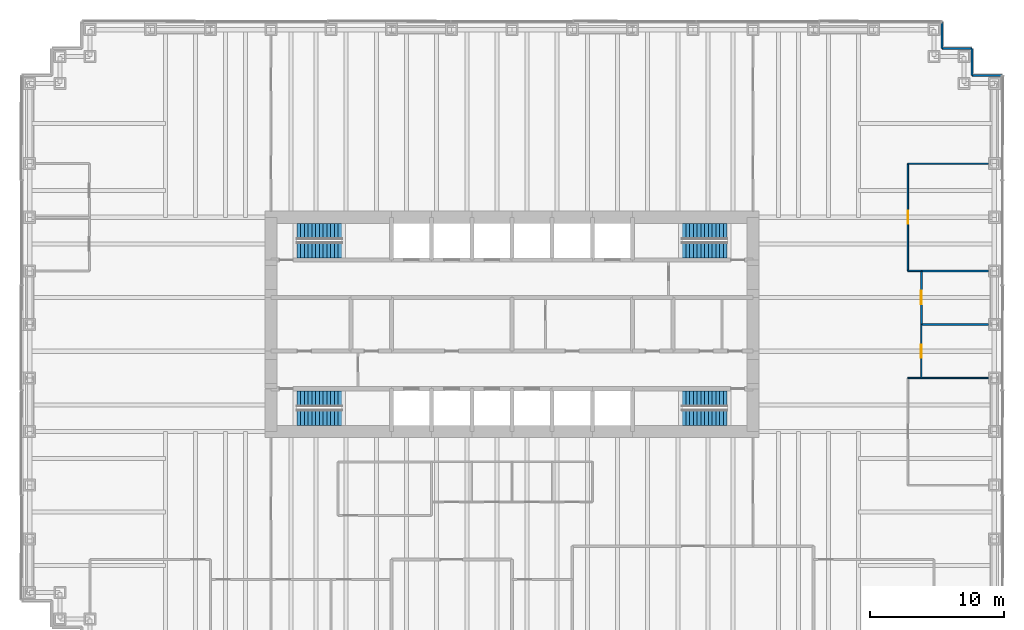
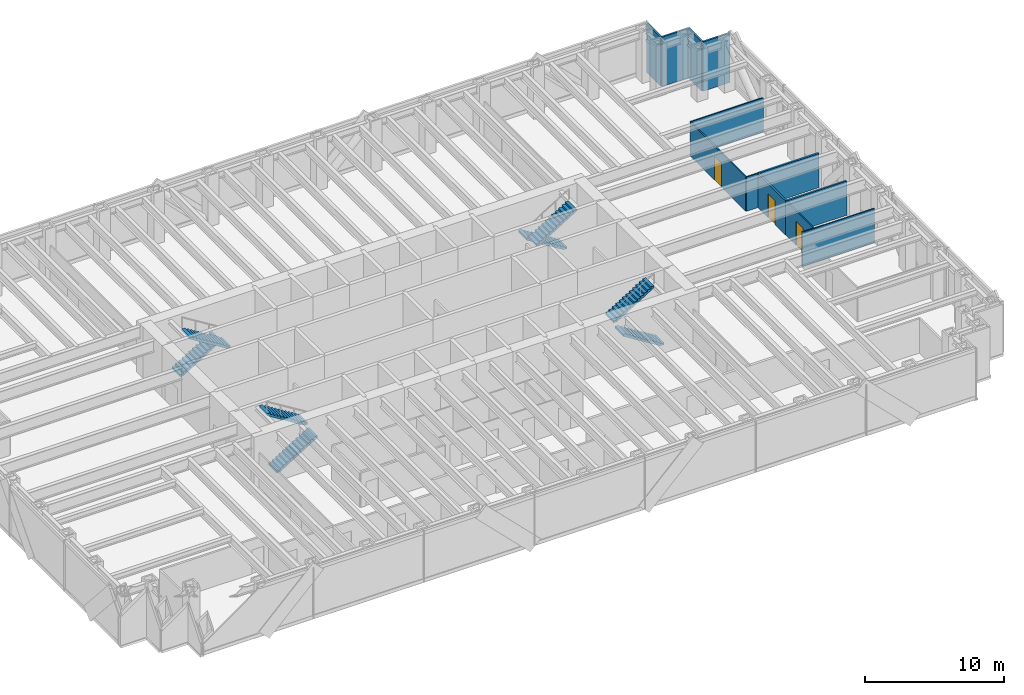
# One storey, part 12 of 13: 12 walls, 8 stair flights, 3 doors, 3 openings, 4 elements without a shape of their own.
"""IFC4 building model written with IfcOpenShell, lengths in metres."""

from ifc_helpers import new_model, si_unit, direction, frame, frame_2d, origin, place, context, subcontext, project, spatial, polyline, rectangle, outline, extrude, material, layer, layer_set, type_object, element, fill, aggregate, save


model = new_model("IFC4")

# Units and contexts
model_context = context("Model", 3, precision=1e-05, world=origin(), true_north=direction((0.0, 1.0)))
body_context = subcontext(model_context, "Body", "Model", "MODEL_VIEW")
ifc_project = project(units=[si_unit("LENGTHUNIT", "METRE"), si_unit("AREAUNIT", "SQUARE_METRE"), si_unit("VOLUMEUNIT", "CUBIC_METRE"), si_unit("PLANEANGLEUNIT", "RADIAN"), si_unit("MASSUNIT", "GRAM", prefix="KILO")], contexts=[model_context])

# Site, building, storey
site_placement = place(None, origin())
site = spatial("IfcSite", under=ifc_project, at=site_placement, CompositionType="ELEMENT")
building_placement = place(site_placement, origin())
building = spatial("IfcBuilding", under=site, at=building_placement, Name="Rheinbord Bourse Tower", CompositionType="ELEMENT")
storey_placement = place(building_placement, frame((0.0, 0.0, 36.5)))
storey = spatial("IfcBuildingStorey", under=building, at=storey_placement, Name="L07", CompositionType="ELEMENT", Elevation=36.5)

# Walls
ifc_material_1 = material(Name="Black metal rainscreen panel", Category="aluminium")
ifc_layer_1 = layer(ifc_material_1, 0.14990234375)
ifc_layer_set_1 = layer_set([ifc_layer_1], Name="CORNER PIER CLADDING 150")
wall_type_1 = type_object("IfcWallType", Name="CORNER PIER CLADDING 150", PredefinedType="ELEMENTEDWALL", material=ifc_layer_set_1)
wall_1_placement = place(storey_placement, frame((72.60009765625, 42.60009765625, 0.0), z_axis=(0.0, 0.0, 1.0), x_axis=(-1.0, 0.0, 0.0)))
element("IfcWall", 1, at=wall_1_placement, inside=storey, type_object=wall_type_1, Name="Corner pier cladding L07 7", PredefinedType="ELEMENTEDWALL", context=body_context, shape_type="SweptSolid", body=[
    extrude(rectangle(XDim=2.25, YDim=0.14990234375, at=frame_2d((1.125, 0.0))), origin(), (0.0, 0.0, 1.0), 4.320068359375),
])
wall_2_placement = place(storey_placement, frame((70.35009765625, 42.60009765625, 0.0), z_axis=(0.0, 0.0, 1.0), x_axis=(0.0, 1.0, 0.0)))
element("IfcWall", 2, at=wall_2_placement, inside=storey, type_object=wall_type_1, Name="Corner pier cladding L07 8", PredefinedType="ELEMENTEDWALL", context=body_context, shape_type="SweptSolid", body=[
    extrude(rectangle(XDim=2.0, YDim=0.14990234375, at=frame_2d((1.0, 0.0))), origin(), (0.0, 0.0, 1.0), 4.320068359375),
])
wall_3_placement = place(storey_placement, frame((70.35009765625, 44.60009765625, 0.0), z_axis=(0.0, 0.0, 1.0), x_axis=(-1.0, 0.0, 0.0)))
element("IfcWall", 3, at=wall_3_placement, inside=storey, type_object=wall_type_1, Name="Corner pier cladding L07 9", PredefinedType="ELEMENTEDWALL", context=body_context, shape_type="SweptSolid", body=[
    extrude(rectangle(XDim=2.25, YDim=0.14990234375, at=frame_2d((1.125, 0.0))), origin(), (0.0, 0.0, 1.0), 4.320068359375),
])
wall_4_placement = place(storey_placement, frame((68.10009765625, 44.60009765625, 0.0), z_axis=(0.0, 0.0, 1.0), x_axis=(0.0, 1.0, 0.0)))
element("IfcWall", 4, at=wall_4_placement, inside=storey, type_object=wall_type_1, Name="Corner pier cladding L07 10", PredefinedType="ELEMENTEDWALL", context=body_context, shape_type="SweptSolid", body=[
    extrude(rectangle(XDim=2.0, YDim=0.14990234375, at=frame_2d((1.0, 0.0))), origin(), (0.0, 0.0, 1.0), 4.320068359375),
])
ifc_material_2 = material(Name="Toughened laminated glass partition", Category="glass")
ifc_layer_2 = layer(ifc_material_2, 0.10009765625)
ifc_layer_set_2 = layer_set([ifc_layer_2], Name="GLAZED PARTITION 100")
wall_type_2 = type_object("IfcWallType", Name="GLAZED PARTITION 100", PredefinedType="PARTITIONING", material=ifc_layer_set_2)
wall_5_placement = place(storey_placement, frame((65.550048828125, 20.0, 0.0), z_axis=(0.0, 0.0, 1.0), x_axis=(1.0, 0.0, 0.0)))
element("IfcWall", 5, at=wall_5_placement, inside=storey, type_object=wall_type_2, Name="Partition L07-12", PredefinedType="PARTITIONING", context=body_context, shape_type="SweptSolid", body=[
    extrude(rectangle(XDim=6.0, YDim=0.10009765625, at=frame_2d((3.0, 0.0))), origin(), (0.0, 0.0, 1.0), 3.0),
])
wall_6_placement = place(storey_placement, frame((65.550048828125, 28.0, 0.0), z_axis=(0.0, 0.0, 1.0), x_axis=(1.0, 0.0, 0.0)))
element("IfcWall", 6, at=wall_6_placement, inside=storey, type_object=wall_type_2, Name="Partition L07-15", PredefinedType="PARTITIONING", context=body_context, shape_type="SweptSolid", body=[
    extrude(rectangle(XDim=1.0, YDim=0.10009765625, at=frame_2d((0.5, 0.0))), origin(), (0.0, 0.0, 1.0), 3.0),
])
wall_7_placement = place(storey_placement, frame((65.550048828125, 36.0, 0.0), z_axis=(0.0, 0.0, 1.0), x_axis=(1.0, 0.0, 0.0)))
element("IfcWall", 7, at=wall_7_placement, inside=storey, type_object=wall_type_2, Name="Partition L07-19", PredefinedType="PARTITIONING", context=body_context, shape_type="SweptSolid", body=[
    extrude(rectangle(XDim=6.0, YDim=0.10009765625, at=frame_2d((3.0, 0.0))), origin(), (0.0, 0.0, 1.0), 3.0),
])

# Wall, opening, door
wall_8_placement = place(storey_placement, frame((65.550048828125, 28.0, 0.0), z_axis=(0.0, 0.0, 1.0), x_axis=(0.0, 1.0, 0.0)))
wall_8 = element("IfcWall", 8, at=wall_8_placement, inside=storey, type_object=wall_type_2, Name="Partition L07-40", PredefinedType="PARTITIONING", context=body_context, shape_type="SweptSolid", body=[
    extrude(rectangle(XDim=8.0, YDim=0.10009765625, at=frame_2d((4.0, 0.0))), origin(), (0.0, 0.0, 1.0), 3.0),
])
opening_1_placement = place(wall_8_placement, frame((3.5, 0.0, 0.0)))
opening_1 = element("IfcOpeningElement", 9, at=opening_1_placement, cuts=wall_8, Name="Opening 07D18", PredefinedType="OPENING", context=body_context, shape_type="SweptSolid", body=[
    extrude(rectangle(XDim=1.0, YDim=2.10009765625, at=frame_2d((0.5, 1.050048828125))), frame((0.0, 0.06005859375, 0.0), z_axis=(0.0, -1.0, 0.0), x_axis=(1.0, 0.0, 0.0)), (0.0, 0.0, 1.0), 0.1201171875),
])
ifc_material_3 = material(Name="Timber door", Category="wood")
door_type = type_object("IfcDoorType", Name="ROOM DOOR 1000", OperationType="SINGLE_SWING_LEFT", PredefinedType="DOOR", material=ifc_material_3)
door_1_placement = place(opening_1_placement, origin())
door_1 = element("IfcDoor", 10, at=door_1_placement, inside=storey, type_object=door_type, Name="Meeting room door L07", OperationType="SINGLE_SWING_LEFT", OverallHeight=2.10009765625, OverallWidth=1.0, PredefinedType="DOOR", context=body_context, shape_type="SweptSolid", body=[
    extrude(rectangle(XDim=1.0, YDim=2.10009765625, at=frame_2d((0.5, 1.050048828125))), frame((0.0, 0.02490234375, 0.0), z_axis=(0.0, -1.0, 0.0), x_axis=(1.0, 0.0, 0.0)), (0.0, 0.0, 1.0), 0.050048828125),
])
fill(opening_1, door_1)

wall_9_placement = place(storey_placement, frame((66.550048828125, 20.0, 0.0), z_axis=(0.0, 0.0, 1.0), x_axis=(0.0, 1.0, 0.0)))
wall_9 = element("IfcWall", 11, at=wall_9_placement, inside=storey, type_object=wall_type_2, Name="Partition L07-41", PredefinedType="PARTITIONING", context=body_context, shape_type="SweptSolid", body=[
    extrude(rectangle(XDim=4.0, YDim=0.10009765625, at=frame_2d((2.0, 0.0))), origin(), (0.0, 0.0, 1.0), 3.0),
])
opening_2_placement = place(wall_9_placement, frame((1.5, 0.0, 0.0)))
opening_2 = element("IfcOpeningElement", 12, at=opening_2_placement, cuts=wall_9, Name="Opening 07D15", PredefinedType="OPENING", context=body_context, shape_type="SweptSolid", body=[
    extrude(rectangle(XDim=1.0, YDim=2.10009765625, at=frame_2d((0.5, 1.050048828125))), frame((0.0, 0.06005859375, 0.0), z_axis=(0.0, -1.0, 0.0), x_axis=(1.0, 0.0, 0.0)), (0.0, 0.0, 1.0), 0.1201171875),
])
door_2_placement = place(opening_2_placement, origin())
door_2 = element("IfcDoor", 13, at=door_2_placement, inside=storey, type_object=door_type, Name="Meeting room door L07", OperationType="SINGLE_SWING_LEFT", OverallHeight=2.10009765625, OverallWidth=1.0, PredefinedType="DOOR", context=body_context, shape_type="SweptSolid", body=[
    extrude(rectangle(XDim=1.0, YDim=2.10009765625, at=frame_2d((0.5, 1.050048828125))), frame((0.0, 0.02490234375, 0.0), z_axis=(0.0, -1.0, 0.0), x_axis=(1.0, 0.0, 0.0)), (0.0, 0.0, 1.0), 0.050048828125),
])
fill(opening_2, door_2)

# Walls
ifc_material_4 = material(Name="Gypsum board partition", Category="gypsum board")
ifc_layer_3 = layer(ifc_material_4, 0.14990234375)
ifc_layer_set_3 = layer_set([ifc_layer_3], Name="PARTITION 150")
wall_type_3 = type_object("IfcWallType", Name="PARTITION 150", PredefinedType="PARTITIONING", material=ifc_layer_set_3)
for number, where, z_axis, x_axis, name in (
    (14, (66.550048828125, 24.0, 0.0), (0.0, 0.0, 1.0), (1.0, 0.0, 0.0), "Partition L07-13"),
    (15, (66.550048828125, 28.0, 0.0), (0.0, 0.0, 1.0), (1.0, 0.0, 0.0), "Partition L07-16"),
):
    element("IfcWall", number, at=place(storey_placement, frame(where, z_axis=z_axis, x_axis=x_axis)), inside=storey, type_object=wall_type_3, Name=name, PredefinedType="PARTITIONING", context=body_context, shape_type="SweptSolid", body=[
        extrude(rectangle(XDim=5.0, YDim=0.14990234375, at=frame_2d((2.5, 0.0))), origin(), (0.0, 0.0, 1.0), 3.0),
    ])

# Wall, opening, door
wall_10_placement = place(storey_placement, frame((66.550048828125, 24.0, 0.0), z_axis=(0.0, 0.0, 1.0), x_axis=(0.0, 1.0, 0.0)))
wall_10 = element("IfcWall", 16, at=wall_10_placement, inside=storey, type_object=wall_type_3, Name="Partition L07-42", PredefinedType="PARTITIONING", context=body_context, shape_type="SweptSolid", body=[
    extrude(rectangle(XDim=4.0, YDim=0.14990234375, at=frame_2d((2.0, 0.0))), origin(), (0.0, 0.0, 1.0), 3.0),
])
opening_3_placement = place(wall_10_placement, frame((1.5, 0.0, 0.0)))
opening_3 = element("IfcOpeningElement", 17, at=opening_3_placement, cuts=wall_10, Name="Opening 07D16", PredefinedType="OPENING", context=body_context, shape_type="SweptSolid", body=[
    extrude(rectangle(XDim=1.0, YDim=2.10009765625, at=frame_2d((0.5, 1.050048828125))), frame((0.0, 0.0849609375, 0.0), z_axis=(0.0, -1.0, 0.0), x_axis=(1.0, 0.0, 0.0)), (0.0, 0.0, 1.0), 0.169921875),
])
door_3_placement = place(opening_3_placement, origin())
door_3 = element("IfcDoor", 18, at=door_3_placement, inside=storey, type_object=door_type, Name="Pantry door L07", OperationType="SINGLE_SWING_LEFT", OverallHeight=2.10009765625, OverallWidth=1.0, PredefinedType="DOOR", context=body_context, shape_type="SweptSolid", body=[
    extrude(rectangle(XDim=1.0, YDim=2.10009765625, at=frame_2d((0.5, 1.050048828125))), frame((0.0, 0.02490234375, 0.0), z_axis=(0.0, -1.0, 0.0), x_axis=(1.0, 0.0, 0.0)), (0.0, 0.0, 1.0), 0.050048828125),
])
fill(opening_3, door_3)

# Stair, stair flights
ifc_material_5 = material(Name="Concrete C30/37", Category="concrete")
stair_type = type_object("IfcStairType", Name="CORE STAIR HALF TURN 4500", PredefinedType="HALF_TURN_STAIR", material=ifc_material_5)
stair_1_placement = place(storey_placement, origin())
stair_1 = element("IfcStair", 19, at=stair_1_placement, inside=storey, type_object=stair_type, Name="Stair ST1 L07, type CS4", PredefinedType="HALF_TURN_STAIR")
ifc_material_6 = material(Name="Concrete C30/37", Category="concrete")
stair_flight_type = type_object("IfcStairFlightType", Name="CORE STAIR FLIGHT 1200, 13 RISERS", PredefinedType="STRAIGHT", material=ifc_material_6)
stair_flight_1_placement = place(storey_placement, frame((19.949951171875, 17.050048828125, 0.0), z_axis=(0.0, 0.0, 1.0), x_axis=(1.0, 0.0, 0.0)))
stair_flight_1 = element("IfcStairFlight", 20, at=stair_flight_1_placement, type_object=stair_flight_type, Name="STAIR L07 ST1 F1", NumberOfRisers=13, NumberOfTreads=12, PredefinedType="STRAIGHT", RiserHeight=0.173076923, TreadLength=0.28, context=body_context, shape_type="SweptSolid", body=[
    extrude(outline(polyline([(0.0, 0.0), (0.0, 0.173095703125), (0.280029296875, 0.173095703125), (0.280029296875, 0.34619140625), (0.56005859375, 0.34619140625), (0.56005859375, 0.519287109375), (0.840087890625, 0.519287109375), (0.840087890625, 0.6923828125), (1.1201171875, 0.6923828125), (1.1201171875, 0.865478515625), (1.39990234375, 0.865478515625), (1.39990234375, 1.03857421875), (1.679931640625, 1.03857421875), (1.679931640625, 1.21142578125), (1.9599609375, 1.21142578125), (1.9599609375, 1.384521484375), (2.239990234375, 1.384521484375), (2.239990234375, 1.5576171875), (2.52001953125, 1.5576171875), (2.52001953125, 1.730712890625), (2.800048828125, 1.730712890625), (2.800048828125, 1.90380859375), (3.080078125, 1.90380859375), (3.080078125, 2.076904296875), (3.360107421875, 2.076904296875), (3.360107421875, 2.25), (3.360107421875, 1.900634765625), (0.28515625, 0.0), (0.0, 0.0)])), frame((0.0, 0.60009765625, 0.0), z_axis=(0.0, -1.0, 0.0), x_axis=(1.0, 0.0, 0.0)), (0.0, 0.0, 1.0), 1.199951171875),
])
stair_flight_2_placement = place(storey_placement, frame((23.31005859375, 18.449951171875, 2.25), z_axis=(0.0, 0.0, 1.0), x_axis=(-1.0, 0.0, 0.0)))
stair_flight_2 = element("IfcStairFlight", 21, at=stair_flight_2_placement, type_object=stair_flight_type, Name="STAIR L07 ST1 F2", NumberOfRisers=13, NumberOfTreads=12, PredefinedType="STRAIGHT", RiserHeight=0.173076923, TreadLength=0.28, context=body_context, shape_type="SweptSolid", body=[
    extrude(outline(polyline([(0.0, 0.0), (0.0, 0.173095703125), (0.280029296875, 0.173095703125), (0.280029296875, 0.34619140625), (0.56005859375, 0.34619140625), (0.56005859375, 0.519287109375), (0.840087890625, 0.519287109375), (0.840087890625, 0.6923828125), (1.1201171875, 0.6923828125), (1.1201171875, 0.865478515625), (1.39990234375, 0.865478515625), (1.39990234375, 1.03857421875), (1.679931640625, 1.03857421875), (1.679931640625, 1.21142578125), (1.9599609375, 1.21142578125), (1.9599609375, 1.384521484375), (2.239990234375, 1.384521484375), (2.239990234375, 1.5576171875), (2.52001953125, 1.5576171875), (2.52001953125, 1.730712890625), (2.800048828125, 1.730712890625), (2.800048828125, 1.90380859375), (3.080078125, 1.90380859375), (3.080078125, 2.076904296875), (3.360107421875, 2.076904296875), (3.360107421875, 2.25), (3.360107421875, 1.900634765625), (0.28515625, 0.0), (0.0, 0.0)])), frame((0.0, 0.60009765625, 0.0), z_axis=(0.0, -1.0, 0.0), x_axis=(1.0, 0.0, 0.0)), (0.0, 0.0, 1.0), 1.199951171875),
])
aggregate(stair_1, [stair_flight_1, stair_flight_2])

stair_2_placement = place(storey_placement, origin())
stair_2 = element("IfcStair", 22, at=stair_2_placement, inside=storey, type_object=stair_type, Name="Stair ST2 L07, type CS4", PredefinedType="HALF_TURN_STAIR")
stair_flight_3_placement = place(storey_placement, frame((19.949951171875, 30.949951171875, 0.0), z_axis=(0.0, 0.0, 1.0), x_axis=(1.0, 0.0, 0.0)))
stair_flight_3 = element("IfcStairFlight", 23, at=stair_flight_3_placement, type_object=stair_flight_type, Name="STAIR L07 ST2 F1", NumberOfRisers=13, NumberOfTreads=12, PredefinedType="STRAIGHT", RiserHeight=0.173076923, TreadLength=0.28, context=body_context, shape_type="SweptSolid", body=[
    extrude(outline(polyline([(0.0, 0.0), (0.0, 0.173095703125), (0.280029296875, 0.173095703125), (0.280029296875, 0.34619140625), (0.56005859375, 0.34619140625), (0.56005859375, 0.519287109375), (0.840087890625, 0.519287109375), (0.840087890625, 0.6923828125), (1.1201171875, 0.6923828125), (1.1201171875, 0.865478515625), (1.39990234375, 0.865478515625), (1.39990234375, 1.03857421875), (1.679931640625, 1.03857421875), (1.679931640625, 1.21142578125), (1.9599609375, 1.21142578125), (1.9599609375, 1.384521484375), (2.239990234375, 1.384521484375), (2.239990234375, 1.5576171875), (2.52001953125, 1.5576171875), (2.52001953125, 1.730712890625), (2.800048828125, 1.730712890625), (2.800048828125, 1.90380859375), (3.080078125, 1.90380859375), (3.080078125, 2.076904296875), (3.360107421875, 2.076904296875), (3.360107421875, 2.25), (3.360107421875, 1.900634765625), (0.28515625, 0.0), (0.0, 0.0)])), frame((0.0, 0.60009765625, 0.0), z_axis=(0.0, -1.0, 0.0), x_axis=(1.0, 0.0, 0.0)), (0.0, 0.0, 1.0), 1.199951171875),
])
stair_flight_4_placement = place(storey_placement, frame((23.31005859375, 29.550048828125, 2.25), z_axis=(0.0, 0.0, 1.0), x_axis=(-1.0, 0.0, 0.0)))
stair_flight_4 = element("IfcStairFlight", 24, at=stair_flight_4_placement, type_object=stair_flight_type, Name="STAIR L07 ST2 F2", NumberOfRisers=13, NumberOfTreads=12, PredefinedType="STRAIGHT", RiserHeight=0.173076923, TreadLength=0.28, context=body_context, shape_type="SweptSolid", body=[
    extrude(outline(polyline([(0.0, 0.0), (0.0, 0.173095703125), (0.280029296875, 0.173095703125), (0.280029296875, 0.34619140625), (0.56005859375, 0.34619140625), (0.56005859375, 0.519287109375), (0.840087890625, 0.519287109375), (0.840087890625, 0.6923828125), (1.1201171875, 0.6923828125), (1.1201171875, 0.865478515625), (1.39990234375, 0.865478515625), (1.39990234375, 1.03857421875), (1.679931640625, 1.03857421875), (1.679931640625, 1.21142578125), (1.9599609375, 1.21142578125), (1.9599609375, 1.384521484375), (2.239990234375, 1.384521484375), (2.239990234375, 1.5576171875), (2.52001953125, 1.5576171875), (2.52001953125, 1.730712890625), (2.800048828125, 1.730712890625), (2.800048828125, 1.90380859375), (3.080078125, 1.90380859375), (3.080078125, 2.076904296875), (3.360107421875, 2.076904296875), (3.360107421875, 2.25), (3.360107421875, 1.900634765625), (0.28515625, 0.0), (0.0, 0.0)])), frame((0.0, 0.60009765625, 0.0), z_axis=(0.0, -1.0, 0.0), x_axis=(1.0, 0.0, 0.0)), (0.0, 0.0, 1.0), 1.199951171875),
])
aggregate(stair_2, [stair_flight_3, stair_flight_4])

stair_3_placement = place(storey_placement, origin())
stair_3 = element("IfcStair", 25, at=stair_3_placement, inside=storey, type_object=stair_type, Name="Stair ST3 L07, type CS4", PredefinedType="HALF_TURN_STAIR")
stair_flight_5_placement = place(storey_placement, frame((52.050048828125, 17.050048828125, 0.0), z_axis=(0.0, 0.0, 1.0), x_axis=(-1.0, 0.0, 0.0)))
stair_flight_5 = element("IfcStairFlight", 26, at=stair_flight_5_placement, type_object=stair_flight_type, Name="STAIR L07 ST3 F1", NumberOfRisers=13, NumberOfTreads=12, PredefinedType="STRAIGHT", RiserHeight=0.173076923, TreadLength=0.28, context=body_context, shape_type="SweptSolid", body=[
    extrude(outline(polyline([(0.0, 0.0), (0.0, 0.173095703125), (0.280029296875, 0.173095703125), (0.280029296875, 0.34619140625), (0.56005859375, 0.34619140625), (0.56005859375, 0.519287109375), (0.840087890625, 0.519287109375), (0.840087890625, 0.6923828125), (1.1201171875, 0.6923828125), (1.1201171875, 0.865478515625), (1.39990234375, 0.865478515625), (1.39990234375, 1.03857421875), (1.679931640625, 1.03857421875), (1.679931640625, 1.21142578125), (1.9599609375, 1.21142578125), (1.9599609375, 1.384521484375), (2.239990234375, 1.384521484375), (2.239990234375, 1.5576171875), (2.52001953125, 1.5576171875), (2.52001953125, 1.730712890625), (2.800048828125, 1.730712890625), (2.800048828125, 1.90380859375), (3.080078125, 1.90380859375), (3.080078125, 2.076904296875), (3.360107421875, 2.076904296875), (3.360107421875, 2.25), (3.360107421875, 1.900634765625), (0.28515625, 0.0), (0.0, 0.0)])), frame((0.0, 0.60009765625, 0.0), z_axis=(0.0, -1.0, 0.0), x_axis=(1.0, 0.0, 0.0)), (0.0, 0.0, 1.0), 1.199951171875),
])
stair_flight_6_placement = place(storey_placement, frame((48.68994140625, 18.449951171875, 2.25), z_axis=(0.0, 0.0, 1.0), x_axis=(1.0, 0.0, 0.0)))
stair_flight_6 = element("IfcStairFlight", 27, at=stair_flight_6_placement, type_object=stair_flight_type, Name="STAIR L07 ST3 F2", NumberOfRisers=13, NumberOfTreads=12, PredefinedType="STRAIGHT", RiserHeight=0.173076923, TreadLength=0.28, context=body_context, shape_type="SweptSolid", body=[
    extrude(outline(polyline([(0.0, 0.0), (0.0, 0.173095703125), (0.280029296875, 0.173095703125), (0.280029296875, 0.34619140625), (0.56005859375, 0.34619140625), (0.56005859375, 0.519287109375), (0.840087890625, 0.519287109375), (0.840087890625, 0.6923828125), (1.1201171875, 0.6923828125), (1.1201171875, 0.865478515625), (1.39990234375, 0.865478515625), (1.39990234375, 1.03857421875), (1.679931640625, 1.03857421875), (1.679931640625, 1.21142578125), (1.9599609375, 1.21142578125), (1.9599609375, 1.384521484375), (2.239990234375, 1.384521484375), (2.239990234375, 1.5576171875), (2.52001953125, 1.5576171875), (2.52001953125, 1.730712890625), (2.800048828125, 1.730712890625), (2.800048828125, 1.90380859375), (3.080078125, 1.90380859375), (3.080078125, 2.076904296875), (3.360107421875, 2.076904296875), (3.360107421875, 2.25), (3.360107421875, 1.900634765625), (0.28515625, 0.0), (0.0, 0.0)])), frame((0.0, 0.60009765625, 0.0), z_axis=(0.0, -1.0, 0.0), x_axis=(1.0, 0.0, 0.0)), (0.0, 0.0, 1.0), 1.199951171875),
])
aggregate(stair_3, [stair_flight_5, stair_flight_6])

stair_4_placement = place(storey_placement, origin())
stair_4 = element("IfcStair", 28, at=stair_4_placement, inside=storey, type_object=stair_type, Name="Stair ST4 L07, type CS4", PredefinedType="HALF_TURN_STAIR")
stair_flight_7_placement = place(storey_placement, frame((52.050048828125, 30.949951171875, 0.0), z_axis=(0.0, 0.0, 1.0), x_axis=(-1.0, 0.0, 0.0)))
stair_flight_7 = element("IfcStairFlight", 29, at=stair_flight_7_placement, type_object=stair_flight_type, Name="STAIR L07 ST4 F1", NumberOfRisers=13, NumberOfTreads=12, PredefinedType="STRAIGHT", RiserHeight=0.173076923, TreadLength=0.28, context=body_context, shape_type="SweptSolid", body=[
    extrude(outline(polyline([(0.0, 0.0), (0.0, 0.173095703125), (0.280029296875, 0.173095703125), (0.280029296875, 0.34619140625), (0.56005859375, 0.34619140625), (0.56005859375, 0.519287109375), (0.840087890625, 0.519287109375), (0.840087890625, 0.6923828125), (1.1201171875, 0.6923828125), (1.1201171875, 0.865478515625), (1.39990234375, 0.865478515625), (1.39990234375, 1.03857421875), (1.679931640625, 1.03857421875), (1.679931640625, 1.21142578125), (1.9599609375, 1.21142578125), (1.9599609375, 1.384521484375), (2.239990234375, 1.384521484375), (2.239990234375, 1.5576171875), (2.52001953125, 1.5576171875), (2.52001953125, 1.730712890625), (2.800048828125, 1.730712890625), (2.800048828125, 1.90380859375), (3.080078125, 1.90380859375), (3.080078125, 2.076904296875), (3.360107421875, 2.076904296875), (3.360107421875, 2.25), (3.360107421875, 1.900634765625), (0.28515625, 0.0), (0.0, 0.0)])), frame((0.0, 0.60009765625, 0.0), z_axis=(0.0, -1.0, 0.0), x_axis=(1.0, 0.0, 0.0)), (0.0, 0.0, 1.0), 1.199951171875),
])
stair_flight_8_placement = place(storey_placement, frame((48.68994140625, 29.550048828125, 2.25), z_axis=(0.0, 0.0, 1.0), x_axis=(1.0, 0.0, 0.0)))
stair_flight_8 = element("IfcStairFlight", 30, at=stair_flight_8_placement, type_object=stair_flight_type, Name="STAIR L07 ST4 F2", NumberOfRisers=13, NumberOfTreads=12, PredefinedType="STRAIGHT", RiserHeight=0.173076923, TreadLength=0.28, context=body_context, shape_type="SweptSolid", body=[
    extrude(outline(polyline([(0.0, 0.0), (0.0, 0.173095703125), (0.280029296875, 0.173095703125), (0.280029296875, 0.34619140625), (0.56005859375, 0.34619140625), (0.56005859375, 0.519287109375), (0.840087890625, 0.519287109375), (0.840087890625, 0.6923828125), (1.1201171875, 0.6923828125), (1.1201171875, 0.865478515625), (1.39990234375, 0.865478515625), (1.39990234375, 1.03857421875), (1.679931640625, 1.03857421875), (1.679931640625, 1.21142578125), (1.9599609375, 1.21142578125), (1.9599609375, 1.384521484375), (2.239990234375, 1.384521484375), (2.239990234375, 1.5576171875), (2.52001953125, 1.5576171875), (2.52001953125, 1.730712890625), (2.800048828125, 1.730712890625), (2.800048828125, 1.90380859375), (3.080078125, 1.90380859375), (3.080078125, 2.076904296875), (3.360107421875, 2.076904296875), (3.360107421875, 2.25), (3.360107421875, 1.900634765625), (0.28515625, 0.0), (0.0, 0.0)])), frame((0.0, 0.60009765625, 0.0), z_axis=(0.0, -1.0, 0.0), x_axis=(1.0, 0.0, 0.0)), (0.0, 0.0, 1.0), 1.199951171875),
])
aggregate(stair_4, [stair_flight_7, stair_flight_8])

save(model, "model.ifc")
